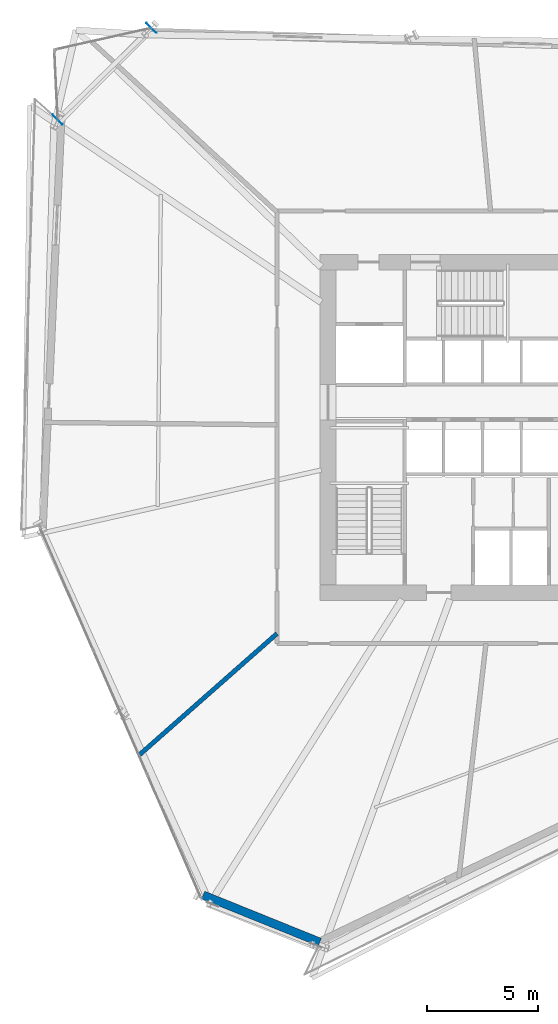
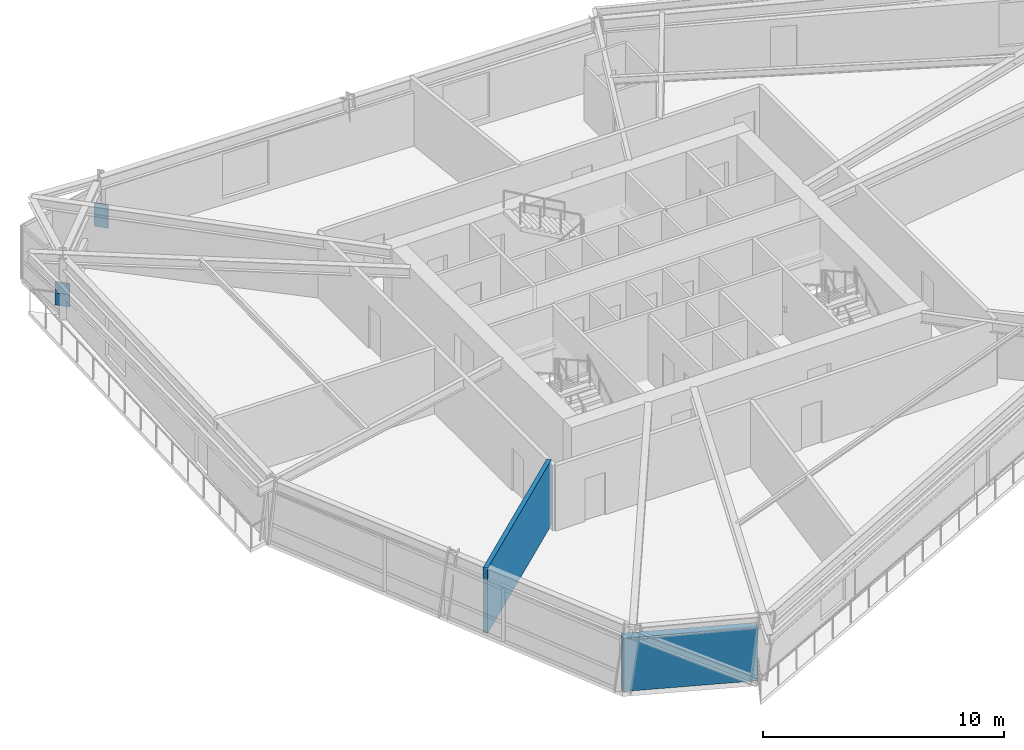
# One storey, part 12 of 19: 4 plates, 2 walls.
"""IFC4 building model written with IfcOpenShell, lengths in metres."""

from ifc_helpers import new_model, si_unit, direction, frame, frame_2d, origin, origin_2d, place, context, subcontext, project, spatial, rectangle, extrude, source, transform, mapped, material, layer, layer_set, type_object, element, save


model = new_model("IFC4")

# Units and contexts
model_context = context("Model", 3, precision=1e-05, world=origin(), true_north=direction((0.0, 1.0)))
body_context = subcontext(model_context, "Body", "Model", "MODEL_VIEW")
ifc_project = project(units=[si_unit("LENGTHUNIT", "METRE"), si_unit("AREAUNIT", "SQUARE_METRE"), si_unit("VOLUMEUNIT", "CUBIC_METRE"), si_unit("PLANEANGLEUNIT", "RADIAN"), si_unit("MASSUNIT", "GRAM", prefix="KILO")], contexts=[model_context])

# Site, building, storey
site_placement = place(None, origin())
site = spatial("IfcSite", under=ifc_project, at=site_placement, CompositionType="ELEMENT")
building_placement = place(site_placement, origin())
building = spatial("IfcBuilding", under=site, at=building_placement, Name="Olszyna Solenne Hotel", CompositionType="ELEMENT")
storey_placement = place(building_placement, frame((0.0, 0.0, 84.39990234375)))
storey = spatial("IfcBuildingStorey", under=building, at=storey_placement, Name="L21", CompositionType="ELEMENT", Elevation=84.39990234375)

# Plates
ifc_material_1 = material(Name="Steel S460M", Category="steel")
plate_type = type_object("IfcPlateType", Name="GP-CAP2", PredefinedType="USERDEFINED", material=ifc_material_1)
shared_shape = source(origin(), body_context, "Body", "SweptSolid", [
    extrude(rectangle(XDim=0.030029296875, YDim=0.6201171875, at=origin_2d()), origin(), (0.0, 0.0, 1.0), 0.6201171875),
])
for number, where, z_axis, x_axis, name in (
    (1, (21.79150390625, 44.6083984375, 1.0400390625), (0.0, 0.0, 1.0), (-0.715692733704, -0.698415285431, 0.0), "Hollow section end-cap plate GP-CAP2 CP-PR-M-L21-PR1-1"),
    (2, (17.556396484375, 40.474853515625, 1.0400390625), (0.0, 0.0, 1.0), (-0.715692733704, -0.698415285431, 0.0), "Hollow section end-cap plate GP-CAP2 CP-PR-M-L21-PR1-2"),
    (3, (21.79150390625, 44.6083984375, 0.469970703125), (0.0, 0.0, 1.0), (-0.715692733704, -0.698415285431, 0.0), "Hollow section end-cap plate GP-CAP2 CP-PR-M-L21-PR2-1"),
    (4, (17.556396484375, 40.474853515625, 0.469970703125), (0.0, 0.0, 1.0), (-0.715692733704, -0.698415285431, 0.0), "Hollow section end-cap plate GP-CAP2 CP-PR-M-L21-PR2-2"),
):
    element("IfcPlate", number, at=place(storey_placement, frame(where, z_axis=z_axis, x_axis=x_axis)), inside=storey, type_object=plate_type, Name=name, ObjectType="GUSSET_PLATE", PredefinedType="USERDEFINED", context=body_context, shape_type="MappedRepresentation", body=[
        mapped(shared_shape, transform((0.0, 0.0, 0.0), x_axis=(1.0, 0.0, 0.0), y_axis=(0.0, 1.0, 0.0), z_axis=(0.0, 0.0, 1.0), scale=1.0)),
    ])

# Walls
ifc_material_2 = material(Name="Terracotta cladding on precast concrete C45/55", Category="masonry")
ifc_layer_1 = layer(ifc_material_2, 0.3798828125, Name="Terracotta cladding on precast concrete C45/55")
ifc_layer_set_1 = layer_set([ifc_layer_1], Name="Terracotta cladding on precast concrete C45/55")
wall_type_1 = type_object("IfcWallType", Name="WL-EX380", PredefinedType="SOLIDWALL", material=ifc_layer_set_1)
wall_1_placement = place(storey_placement, frame((29.3818359375, 3.382080078125, 0.0), z_axis=(0.0, 0.0, 1.0), x_axis=(-0.92720073145, 0.374564818954, 0.0)))
element("IfcWall", 5, at=wall_1_placement, inside=storey, type_object=wall_type_1, Name="Exterior terracotta-precast frame wall WL-EX380 EW-L21-02", PredefinedType="SOLIDWALL", context=body_context, shape_type="SweptSolid", body=[
    extrude(rectangle(XDim=5.671875, YDim=0.3798828125, at=frame_2d((2.8359375, 0.0))), origin(), (0.0, 0.0, 1.0), 2.692138671875),
])
ifc_material_3 = material(Name="Acoustic gypsum partition", Category="gypsum")
ifc_layer_2 = layer(ifc_material_3, 0.199951171875, Name="Acoustic gypsum partition")
ifc_layer_set_2 = layer_set([ifc_layer_2], Name="Acoustic gypsum partition")
wall_type_2 = type_object("IfcWallType", Name="WL-PT200", PredefinedType="PARTITIONING", material=ifc_layer_set_2)
wall_2_placement = place(storey_placement, frame((27.449951171875, 17.298828125, 0.0), z_axis=(0.0, 0.0, 1.0), x_axis=(-0.750110386314, -0.661312640393, 0.0)))
element("IfcWall", 6, at=wall_2_placement, inside=storey, type_object=wall_type_2, Name="Interior acoustic partition WL-PT200 PW-L21-1174", PredefinedType="PARTITIONING", context=body_context, shape_type="SweptSolid", body=[
    extrude(rectangle(XDim=8.25927734375, YDim=0.199951171875, at=frame_2d((4.129638671875, 0.0))), origin(), (0.0, 0.0, 1.0), 3.300048828125),
])

save(model, "model.ifc")
